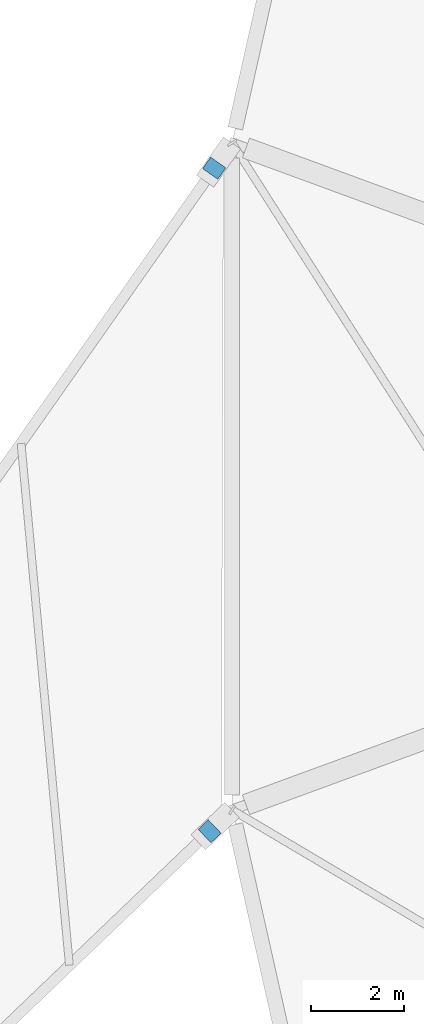
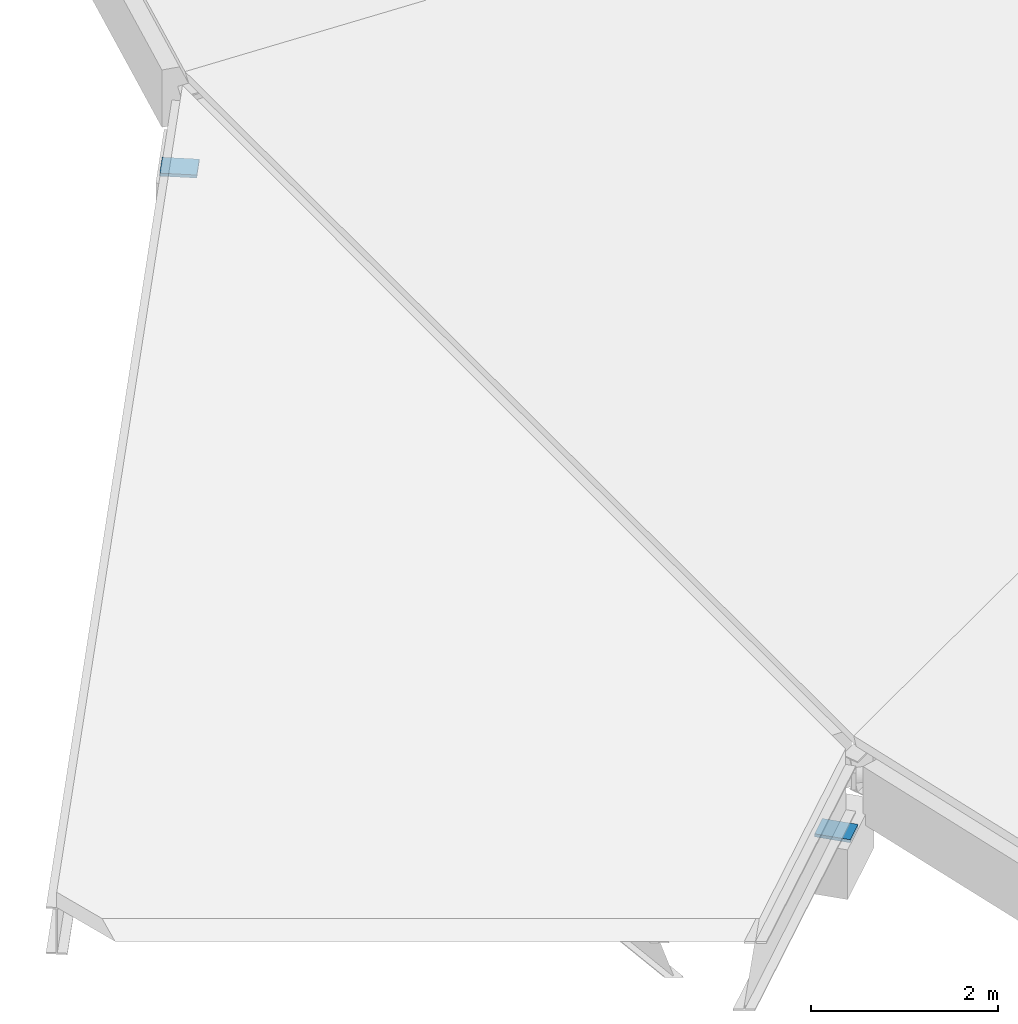
# One storey, part 34 of 39: 2 discrete accessories.
"""IFC4 building model written with IfcOpenShell, lengths in metres."""

import ifcopenshell
import ifcopenshell.guid

model = None  # the IFC model being written
_history = None  # IfcOwnerHistory: only IFC2X3 demands one
_inside = {}  # id of a spatial element -> (the spatial element, [elements in it])
_under = {}  # id of a project, library or spatial element -> (it, [spatial elements below it])
_declared = {}  # id of a project -> (the project, [libraries it declares])
_typed = {}  # id of a type object -> (the type object, [elements of that type])
_made_of = {}  # id of a material, layer set ... -> (it, [elements and type objects made of it])


def new_model(schema):
    """Start an empty IFC model of exactly this schema.

    Asked for "IFC4X3", IfcOpenShell would pick the latest addendum, in which some entities
    have other attributes; the version numbers below select the first issue.
    IFC2X3 requires an IfcOwnerHistory on every rooted entity: one is made here for all.
    """
    global model, _history
    if schema == "IFC4X3":
        model = ifcopenshell.file(schema_version=(4, 3, 0, 0))
    else:
        model = ifcopenshell.file(schema=schema)
    _inside.clear()
    _under.clear()
    _declared.clear()
    _typed.clear()
    _made_of.clear()
    _history = None
    if model.schema == "IFC2X3":
        org = make("IfcOrganization", Name="unknown")
        user = make(
            "IfcPersonAndOrganization",
            ThePerson=make("IfcPerson", FamilyName="unknown"),
            TheOrganization=org,
        )
        app = make(
            "IfcApplication",
            ApplicationDeveloper=org,
            Version="unknown",
            ApplicationFullName="unknown",
            ApplicationIdentifier="unknown",
        )
        _history = make(
            "IfcOwnerHistory",
            OwningUser=user,
            OwningApplication=app,
            ChangeAction="ADDED",
            CreationDate=0,
        )
    return model


def make(cls, **values):
    """One entity of the class cls with the attributes given. An attribute that is None is left unset."""
    return model.create_entity(
        cls, **{name: value for name, value in values.items() if value is not None}
    )


def rooted(cls, **values):
    """An entity with a GlobalId (a new one), such as an element, a storey or a relation."""
    return make(cls, GlobalId=ifcopenshell.guid.new(), OwnerHistory=_history, **values)


def si_unit(unit_type, name, prefix=None):
    """IfcSIUnit, for example si_unit("LENGTHUNIT", "METRE", prefix="MILLI")."""
    return make("IfcSIUnit", UnitType=unit_type, Prefix=prefix, Name=name)


def assignment(units):
    """IfcUnitAssignment: the units of a project."""
    return None if units is None else make("IfcUnitAssignment", Units=units)


def point(xyz):
    """IfcCartesianPoint."""
    return None if xyz is None else make("IfcCartesianPoint", Coordinates=xyz)


def direction(xyz):
    """IfcDirection."""
    return None if xyz is None else make("IfcDirection", DirectionRatios=xyz)


def frame(location, z_axis=None, x_axis=None):
    """IfcAxis2Placement3D, a coordinate frame: its origin and axes. An axis left out is left unset."""
    return make(
        "IfcAxis2Placement3D",
        Location=point(location),
        Axis=direction(z_axis),
        RefDirection=direction(x_axis),
    )


def frame_2d(location, x_axis=None):
    """IfcAxis2Placement2D, a coordinate frame in the plane: its origin and x axis."""
    return make(
        "IfcAxis2Placement2D", Location=point(location), RefDirection=direction(x_axis)
    )


def origin():
    """The frame at (0, 0, 0) with its axes left unset."""
    return frame((0.0, 0.0, 0.0))


def origin_2d():
    """The frame at (0, 0) in the plane with its x axis left unset."""
    return frame_2d((0.0, 0.0))


def place(relative_to, where):
    """IfcLocalPlacement: puts the frame where relative to a parent placement (None: the world)."""
    return make(
        "IfcLocalPlacement", PlacementRelTo=relative_to, RelativePlacement=where
    )


def context(
    kind, dimensions, precision=None, world=None, true_north=None, identifier=None
):
    """IfcGeometricRepresentationContext, for example the 3D "Model" context."""
    return make(
        "IfcGeometricRepresentationContext",
        ContextIdentifier=identifier,
        ContextType=kind,
        CoordinateSpaceDimension=dimensions,
        Precision=precision,
        WorldCoordinateSystem=world,
        TrueNorth=true_north,
    )


def subcontext(parent, identifier, kind, view, scale=None):
    """IfcGeometricRepresentationSubContext, for example "Body" below "Model"."""
    return make(
        "IfcGeometricRepresentationSubContext",
        ContextIdentifier=identifier,
        ContextType=kind,
        ParentContext=parent,
        TargetScale=scale,
        TargetView=view,
    )


def project(units=None, contexts=None):
    """IfcProject with its units and contexts."""
    return rooted(
        "IfcProject",
        Name="project",
        RepresentationContexts=contexts,
        UnitsInContext=assignment(units),
    )


def spatial(cls, under=None, at=None, **own):
    """A site, building, storey or space (cls), placed at a placement, below another one or the project."""
    s = rooted(cls, ObjectPlacement=at, **own)
    if under is not None:
        _under.setdefault(under.id(), (under, []))[1].append(s)
    return s


def profile(cls, at=None, kind="AREA", **sizes):
    """A parametric profile (cls). Its sizes go by their IFC names, for example OverallWidth=200.0."""
    return make(cls, ProfileType=kind, Position=at, **sizes)


def rectangle(**sizes):
    """IfcRectangleProfileDef."""
    return profile("IfcRectangleProfileDef", **sizes)


def extrude(swept, where, along, depth):
    """IfcExtrudedAreaSolid: the profile swept, set in the frame where, extruded along a direction by depth."""
    return make(
        "IfcExtrudedAreaSolid",
        SweptArea=swept,
        Position=where,
        ExtrudedDirection=direction(along),
        Depth=depth,
    )


def shape(context_of_items, identifier, shape_type, items):
    """IfcShapeRepresentation: the items that make up one representation, for example the "Body"."""
    return make(
        "IfcShapeRepresentation",
        ContextOfItems=context_of_items,
        RepresentationIdentifier=identifier,
        RepresentationType=shape_type,
        Items=items,
    )


def material(Name=None, Category=None):
    """IfcMaterial."""
    return make("IfcMaterial", Name=Name, Category=Category)


def made_of(thing, what):
    """Note that an element or type object is made of a material, layer set ...; save() writes the relation."""
    if what is not None:
        _made_of.setdefault(what.id(), (what, []))[1].append(thing)
    return thing


def type_object(cls, material=None, **own):
    """A type object (cls), such as IfcWallType, which elements share."""
    return made_of(rooted(cls, **own), material)


def element(
    cls,
    number,
    at=None,
    inside=None,
    cuts=None,
    type_object=None,
    material=None,
    context=None,
    identifier="Body",
    shape_type=None,
    held_by="IfcProductDefinitionShape",
    body=None,
    shapes=None,
    **own,
):
    """One element of the class cls, such as IfcWall. Its Tag is "e" and its number.

    at: its placement. inside: the storey or other place that contains it. cuts: it is an
    opening in that element (IfcRelVoidsElement). A single representation is given by context,
    identifier, shape_type and body (its items); several are given by shapes. held_by: the class
    of the entity that holds the representations. save() writes the other relations.
    """
    e = rooted(cls, Tag="e%d" % number, ObjectPlacement=at, **own)
    if body is not None:
        shapes = [shape(context, identifier, shape_type, body)]
    if shapes is not None:
        e.Representation = make(held_by, Representations=shapes)
    if inside is not None:
        _inside.setdefault(inside.id(), (inside, []))[1].append(e)
    if cuts is not None:
        rooted(
            "IfcRelVoidsElement", RelatingBuildingElement=cuts, RelatedOpeningElement=e
        )
    if type_object is not None:
        _typed.setdefault(type_object.id(), (type_object, []))[1].append(e)
    return made_of(e, material)


def aggregate(whole, parts):
    """IfcRelAggregates: a whole, such as a stair, and the parts it consists of."""
    return rooted("IfcRelAggregates", RelatingObject=whole, RelatedObjects=parts)


def save(model, path):
    """Write the relations noted so far, then the file.

    IfcRelAggregates (storeys below a building ...), IfcRelContainedInSpatialStructure (elements
    in a storey), IfcRelDefinesByType, IfcRelAssociatesMaterial and IfcRelDeclares: one each for
    every whole, place, type object, material and project.
    """
    for whole, parts in _under.values():
        aggregate(whole, parts)
    for where, things in _inside.values():
        rooted(
            "IfcRelContainedInSpatialStructure",
            RelatedElements=things,
            RelatingStructure=where,
        )
    for kind, things in _typed.values():
        rooted("IfcRelDefinesByType", RelatedObjects=things, RelatingType=kind)
    for what, things in _made_of.values():
        rooted("IfcRelAssociatesMaterial", RelatedObjects=things, RelatingMaterial=what)
    for by, libraries in _declared.values():
        rooted("IfcRelDeclares", RelatingContext=by, RelatedDefinitions=libraries)
    model.write(path)


model = new_model("IFC4")

# Units and contexts
model_context = context("Model", 3, precision=1e-05, world=origin(), true_north=direction((0.0, 1.0)))
body_context = subcontext(model_context, "Body", "Model", "MODEL_VIEW")
ifc_project = project(units=[si_unit("LENGTHUNIT", "METRE"), si_unit("AREAUNIT", "SQUARE_METRE"), si_unit("VOLUMEUNIT", "CUBIC_METRE"), si_unit("PLANEANGLEUNIT", "RADIAN"), si_unit("MASSUNIT", "GRAM", prefix="KILO")], contexts=[model_context])

# Site, building, storey
site_placement = place(None, origin())
site = spatial("IfcSite", under=ifc_project, at=site_placement, CompositionType="ELEMENT")
building_placement = place(site_placement, origin())
building = spatial("IfcBuilding", under=site, at=building_placement, Name="Corvandel Quay Wholesale Market", CompositionType="ELEMENT")
storey_placement = place(building_placement, frame((0.0, 0.0, 15.0)))
storey = spatial("IfcBuildingStorey", under=building, at=storey_placement, Name="L03", CompositionType="ELEMENT", Elevation=15.0)

# Discrete accessories
ifc_material = material(Name="PTFE elastomeric bearing assembly")
discrete_accessory_type = type_object("IfcDiscreteAccessoryType", Name="Unguided Bi-Directional PTFE Sliding Bearing SBG01", PredefinedType="USERDEFINED", material=ifc_material)
for number, where, z_axis, x_axis, name in (
    (1, (174.519775390625, 52.379150390625, -0.85205078125), (0.0, 0.0, 1.0), (0.72236396206, 0.691513055782, 0.0), "PTFE Sliding Bearing SBG-017"),
    (2, (174.61767578125, 66.616943359375, -0.85205078125), (0.0, 0.0, 1.0), (0.575148037348, 0.818049347616, 0.0), "PTFE Sliding Bearing SBG-018"),
):
    element("IfcDiscreteAccessory", number, at=place(storey_placement, frame(where, z_axis=z_axis, x_axis=x_axis)), inside=storey, type_object=discrete_accessory_type, Name=name, ObjectType="SLIDING BEARING", PredefinedType="USERDEFINED", context=body_context, shape_type="SweptSolid", body=[
        extrude(rectangle(XDim=0.300048828125, YDim=0.39990234375, at=origin_2d()), origin(), (0.0, 0.0, 1.0), 0.0400390625),
    ])

save(model, "model.ifc")
